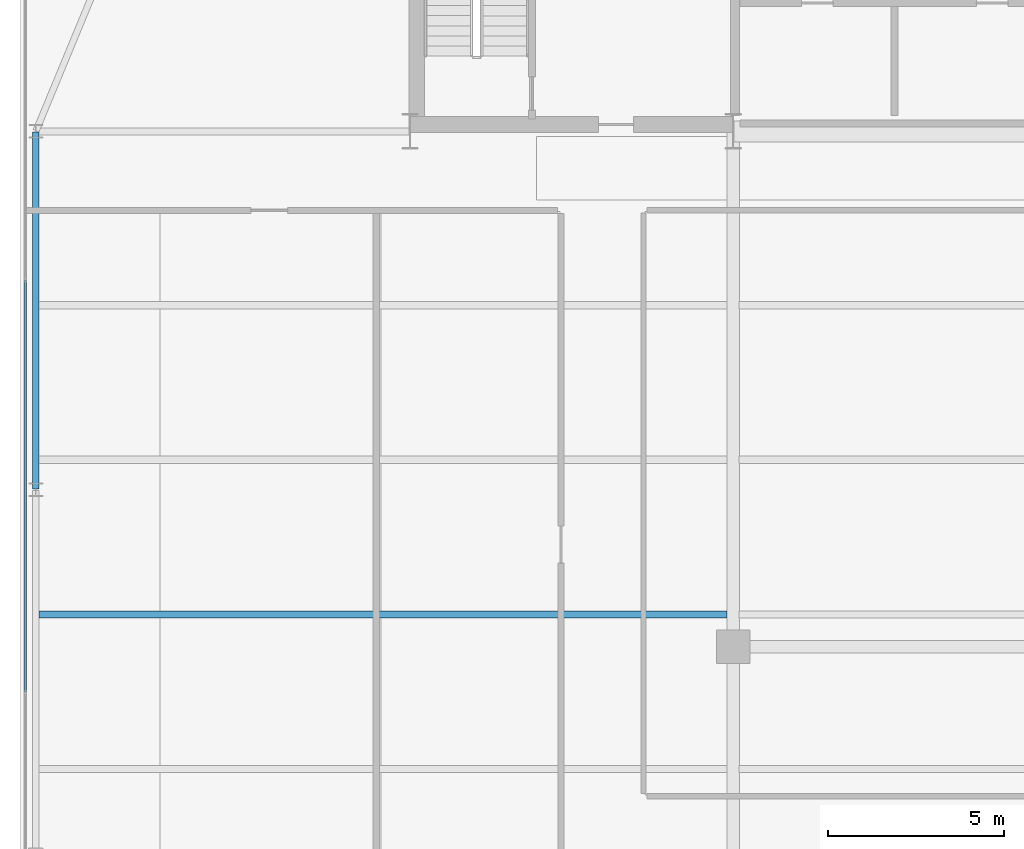
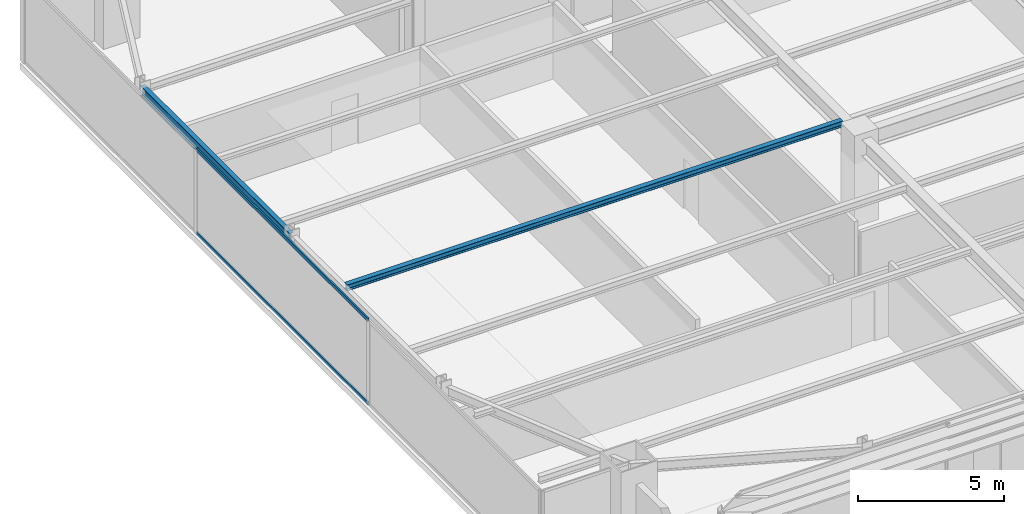
# One storey, part 9 of 32: 2 beams, 2 members, 1 element without a shape of its own.
"""IFC4 building model written with IfcOpenShell, lengths in metres."""

import ifcopenshell
import ifcopenshell.guid

model = None  # the IFC model being written
_history = None  # IfcOwnerHistory: only IFC2X3 demands one
_inside = {}  # id of a spatial element -> (the spatial element, [elements in it])
_under = {}  # id of a project, library or spatial element -> (it, [spatial elements below it])
_declared = {}  # id of a project -> (the project, [libraries it declares])
_typed = {}  # id of a type object -> (the type object, [elements of that type])
_made_of = {}  # id of a material, layer set ... -> (it, [elements and type objects made of it])


def new_model(schema):
    """Start an empty IFC model of exactly this schema.

    Asked for "IFC4X3", IfcOpenShell would pick the latest addendum, in which some entities
    have other attributes; the version numbers below select the first issue.
    IFC2X3 requires an IfcOwnerHistory on every rooted entity: one is made here for all.
    """
    global model, _history
    if schema == "IFC4X3":
        model = ifcopenshell.file(schema_version=(4, 3, 0, 0))
    else:
        model = ifcopenshell.file(schema=schema)
    _inside.clear()
    _under.clear()
    _declared.clear()
    _typed.clear()
    _made_of.clear()
    _history = None
    if model.schema == "IFC2X3":
        org = make("IfcOrganization", Name="unknown")
        user = make(
            "IfcPersonAndOrganization",
            ThePerson=make("IfcPerson", FamilyName="unknown"),
            TheOrganization=org,
        )
        app = make(
            "IfcApplication",
            ApplicationDeveloper=org,
            Version="unknown",
            ApplicationFullName="unknown",
            ApplicationIdentifier="unknown",
        )
        _history = make(
            "IfcOwnerHistory",
            OwningUser=user,
            OwningApplication=app,
            ChangeAction="ADDED",
            CreationDate=0,
        )
    return model


def make(cls, **values):
    """One entity of the class cls with the attributes given. An attribute that is None is left unset."""
    return model.create_entity(
        cls, **{name: value for name, value in values.items() if value is not None}
    )


def rooted(cls, **values):
    """An entity with a GlobalId (a new one), such as an element, a storey or a relation."""
    return make(cls, GlobalId=ifcopenshell.guid.new(), OwnerHistory=_history, **values)


def si_unit(unit_type, name, prefix=None):
    """IfcSIUnit, for example si_unit("LENGTHUNIT", "METRE", prefix="MILLI")."""
    return make("IfcSIUnit", UnitType=unit_type, Prefix=prefix, Name=name)


def assignment(units):
    """IfcUnitAssignment: the units of a project."""
    return None if units is None else make("IfcUnitAssignment", Units=units)


def point(xyz):
    """IfcCartesianPoint."""
    return None if xyz is None else make("IfcCartesianPoint", Coordinates=xyz)


def direction(xyz):
    """IfcDirection."""
    return None if xyz is None else make("IfcDirection", DirectionRatios=xyz)


def frame(location, z_axis=None, x_axis=None):
    """IfcAxis2Placement3D, a coordinate frame: its origin and axes. An axis left out is left unset."""
    return make(
        "IfcAxis2Placement3D",
        Location=point(location),
        Axis=direction(z_axis),
        RefDirection=direction(x_axis),
    )


def frame_2d(location, x_axis=None):
    """IfcAxis2Placement2D, a coordinate frame in the plane: its origin and x axis."""
    return make(
        "IfcAxis2Placement2D", Location=point(location), RefDirection=direction(x_axis)
    )


def origin():
    """The frame at (0, 0, 0) with its axes left unset."""
    return frame((0.0, 0.0, 0.0))


def origin_2d():
    """The frame at (0, 0) in the plane with its x axis left unset."""
    return frame_2d((0.0, 0.0))


def place(relative_to, where):
    """IfcLocalPlacement: puts the frame where relative to a parent placement (None: the world)."""
    return make(
        "IfcLocalPlacement", PlacementRelTo=relative_to, RelativePlacement=where
    )


def context(
    kind, dimensions, precision=None, world=None, true_north=None, identifier=None
):
    """IfcGeometricRepresentationContext, for example the 3D "Model" context."""
    return make(
        "IfcGeometricRepresentationContext",
        ContextIdentifier=identifier,
        ContextType=kind,
        CoordinateSpaceDimension=dimensions,
        Precision=precision,
        WorldCoordinateSystem=world,
        TrueNorth=true_north,
    )


def subcontext(parent, identifier, kind, view, scale=None):
    """IfcGeometricRepresentationSubContext, for example "Body" below "Model"."""
    return make(
        "IfcGeometricRepresentationSubContext",
        ContextIdentifier=identifier,
        ContextType=kind,
        ParentContext=parent,
        TargetScale=scale,
        TargetView=view,
    )


def project(units=None, contexts=None):
    """IfcProject with its units and contexts."""
    return rooted(
        "IfcProject",
        Name="project",
        RepresentationContexts=contexts,
        UnitsInContext=assignment(units),
    )


def spatial(cls, under=None, at=None, **own):
    """A site, building, storey or space (cls), placed at a placement, below another one or the project."""
    s = rooted(cls, ObjectPlacement=at, **own)
    if under is not None:
        _under.setdefault(under.id(), (under, []))[1].append(s)
    return s


def profile(cls, at=None, kind="AREA", **sizes):
    """A parametric profile (cls). Its sizes go by their IFC names, for example OverallWidth=200.0."""
    return make(cls, ProfileType=kind, Position=at, **sizes)


def hollow_rectangle(**sizes):
    """IfcRectangleHollowProfileDef."""
    return profile("IfcRectangleHollowProfileDef", **sizes)


def i_section(**sizes):
    """IfcIShapeProfileDef."""
    return profile("IfcIShapeProfileDef", **sizes)


def extrude(swept, where, along, depth):
    """IfcExtrudedAreaSolid: the profile swept, set in the frame where, extruded along a direction by depth."""
    return make(
        "IfcExtrudedAreaSolid",
        SweptArea=swept,
        Position=where,
        ExtrudedDirection=direction(along),
        Depth=depth,
    )


def shape(context_of_items, identifier, shape_type, items):
    """IfcShapeRepresentation: the items that make up one representation, for example the "Body"."""
    return make(
        "IfcShapeRepresentation",
        ContextOfItems=context_of_items,
        RepresentationIdentifier=identifier,
        RepresentationType=shape_type,
        Items=items,
    )


def source(mapping_origin, context_of_items, identifier, shape_type, items):
    """IfcRepresentationMap: a shape defined once, which mapped items show again and again."""
    return make(
        "IfcRepresentationMap",
        MappingOrigin=mapping_origin,
        MappedRepresentation=shape(context_of_items, identifier, shape_type, items),
    )


def transform(
    local_origin,
    x_axis=None,
    y_axis=None,
    z_axis=None,
    scale=None,
    scale2=None,
    scale3=None,
    uniform=True,
):
    """IfcCartesianTransformationOperator3D, or its non-uniform kind. x_axis, y_axis, z_axis: its Axis1, 2, 3."""
    if uniform:
        return make(
            "IfcCartesianTransformationOperator3D",
            Axis1=direction(x_axis),
            Axis2=direction(y_axis),
            LocalOrigin=point(local_origin),
            Scale=scale,
            Axis3=direction(z_axis),
        )
    return make(
        "IfcCartesianTransformationOperator3DnonUniform",
        Axis1=direction(x_axis),
        Axis2=direction(y_axis),
        LocalOrigin=point(local_origin),
        Scale=scale,
        Axis3=direction(z_axis),
        Scale2=scale2,
        Scale3=scale3,
    )


def mapped(mapping_source, mapping_target):
    """IfcMappedItem: shows the shape of a source again, moved by a transform."""
    return make(
        "IfcMappedItem", MappingSource=mapping_source, MappingTarget=mapping_target
    )


def material(Name=None, Category=None):
    """IfcMaterial."""
    return make("IfcMaterial", Name=Name, Category=Category)


def layer(
    of_material, thickness, ventilated=None, Name=None, Category=None, Priority=None
):
    """IfcMaterialLayer: one layer of a wall or slab, of a material (None: an air gap)."""
    return make(
        "IfcMaterialLayer",
        Material=of_material,
        LayerThickness=thickness,
        IsVentilated=ventilated,
        Name=Name,
        Category=Category,
        Priority=Priority,
    )


def layer_set(layers, Name=None):
    """IfcMaterialLayerSet."""
    return make("IfcMaterialLayerSet", MaterialLayers=layers, LayerSetName=Name)


def material_profile(
    of_material, cross_section, Name=None, Category=None, Priority=None
):
    """IfcMaterialProfile: a cross section and its material."""
    return make(
        "IfcMaterialProfile",
        Name=Name,
        Material=of_material,
        Profile=cross_section,
        Priority=Priority,
        Category=Category,
    )


def profile_set(profiles, Name=None, composite=None):
    """IfcMaterialProfileSet."""
    return make(
        "IfcMaterialProfileSet",
        Name=Name,
        MaterialProfiles=profiles,
        CompositeProfile=composite,
    )


def made_of(thing, what):
    """Note that an element or type object is made of a material, layer set ...; save() writes the relation."""
    if what is not None:
        _made_of.setdefault(what.id(), (what, []))[1].append(thing)
    return thing


def type_object(cls, material=None, **own):
    """A type object (cls), such as IfcWallType, which elements share."""
    return made_of(rooted(cls, **own), material)


def type_shapes(of_type, sources):
    """Give a type object the sources (RepresentationMaps) that its elements show as mapped items."""
    of_type.RepresentationMaps = sources


def element(
    cls,
    number,
    at=None,
    inside=None,
    cuts=None,
    type_object=None,
    material=None,
    context=None,
    identifier="Body",
    shape_type=None,
    held_by="IfcProductDefinitionShape",
    body=None,
    shapes=None,
    **own,
):
    """One element of the class cls, such as IfcWall. Its Tag is "e" and its number.

    at: its placement. inside: the storey or other place that contains it. cuts: it is an
    opening in that element (IfcRelVoidsElement). A single representation is given by context,
    identifier, shape_type and body (its items); several are given by shapes. held_by: the class
    of the entity that holds the representations. save() writes the other relations.
    """
    e = rooted(cls, Tag="e%d" % number, ObjectPlacement=at, **own)
    if body is not None:
        shapes = [shape(context, identifier, shape_type, body)]
    if shapes is not None:
        e.Representation = make(held_by, Representations=shapes)
    if inside is not None:
        _inside.setdefault(inside.id(), (inside, []))[1].append(e)
    if cuts is not None:
        rooted(
            "IfcRelVoidsElement", RelatingBuildingElement=cuts, RelatedOpeningElement=e
        )
    if type_object is not None:
        _typed.setdefault(type_object.id(), (type_object, []))[1].append(e)
    return made_of(e, material)


def aggregate(whole, parts):
    """IfcRelAggregates: a whole, such as a stair, and the parts it consists of."""
    return rooted("IfcRelAggregates", RelatingObject=whole, RelatedObjects=parts)


def save(model, path):
    """Write the relations noted so far, then the file.

    IfcRelAggregates (storeys below a building ...), IfcRelContainedInSpatialStructure (elements
    in a storey), IfcRelDefinesByType, IfcRelAssociatesMaterial and IfcRelDeclares: one each for
    every whole, place, type object, material and project.
    """
    for whole, parts in _under.values():
        aggregate(whole, parts)
    for where, things in _inside.values():
        rooted(
            "IfcRelContainedInSpatialStructure",
            RelatedElements=things,
            RelatingStructure=where,
        )
    for kind, things in _typed.values():
        rooted("IfcRelDefinesByType", RelatedObjects=things, RelatingType=kind)
    for what, things in _made_of.values():
        rooted("IfcRelAssociatesMaterial", RelatedObjects=things, RelatingMaterial=what)
    for by, libraries in _declared.values():
        rooted("IfcRelDeclares", RelatingContext=by, RelatedDefinitions=libraries)
    model.write(path)


model = new_model("IFC4")

# Units and contexts
model_context = context("Model", 3, precision=1e-05, world=origin(), true_north=direction((0.0, 1.0)))
body_context = subcontext(model_context, "Body", "Model", "MODEL_VIEW")
ifc_project = project(units=[si_unit("LENGTHUNIT", "METRE"), si_unit("AREAUNIT", "SQUARE_METRE"), si_unit("VOLUMEUNIT", "CUBIC_METRE"), si_unit("PLANEANGLEUNIT", "RADIAN"), si_unit("MASSUNIT", "GRAM", prefix="KILO")], contexts=[model_context])

# Site, building, storey
site_placement = place(None, origin())
site = spatial("IfcSite", under=ifc_project, at=site_placement, CompositionType="ELEMENT")
building_placement = place(site_placement, origin())
building = spatial("IfcBuilding", under=site, at=building_placement, Name="Varnel Quay Broadcast Tower", CompositionType="ELEMENT")
storey_placement = place(building_placement, frame((0.0, 0.0, 133.39990234375)))
storey = spatial("IfcBuildingStorey", under=building, at=storey_placement, Name="L32", CompositionType="ELEMENT", Elevation=133.39990234375)

# Beams
ifc_material_1 = material(Name="Structural Steel CSA G40.21 350W", Category="steel")
ifc_material_profile_1 = material_profile(ifc_material_1, i_section(OverallWidth=0.180908203125, OverallDepth=0.4169921875, WebThickness=0.010986328125, FlangeThickness=0.018310546875, FilletRadius=0.011962890625, at=origin_2d()), Name="W410X85")
ifc_profile_set_1 = profile_set([ifc_material_profile_1], Name="Structural Steel CSA G40.21 350W")
beam_type_1 = type_object("IfcBeamType", Name="Beam_W410X85", PredefinedType="SPANDREL", material=ifc_profile_set_1)
shared_shape_1 = source(origin(), body_context, "Body", "SweptSolid", [
    extrude(i_section(OverallWidth=0.180908203125, OverallDepth=0.4169921875, WebThickness=0.010986328125, FlangeThickness=0.018310546875, FilletRadius=0.011962890625, at=origin_2d()), origin(), (0.0, 0.0, 1.0), 10.16015625),
])
type_shapes(beam_type_1, [shared_shape_1])
beam_1_placement = place(storey_placement, frame((4.949951171875, 25.419921875, 3.341552734375), z_axis=(0.0, 1.0, 0.0), x_axis=(-1.0, 0.0, 0.0)))
element("IfcBeam", 1, at=beam_1_placement, inside=storey, type_object=beam_type_1, Name="L32 West Spandrel TC-W2-TC-W3", PredefinedType="SPANDREL", context=body_context, shape_type="MappedRepresentation", body=[
    mapped(shared_shape_1, transform((0.0, 0.0, 0.0), x_axis=(1.0, 0.0, 0.0), y_axis=(0.0, 1.0, 0.0), z_axis=(0.0, 0.0, 1.0), scale=1.0)),
])
ifc_material_profile_2 = material_profile(ifc_material_1, i_section(OverallWidth=0.201904296875, OverallDepth=0.2470703125, WebThickness=0.00732421875, FlangeThickness=0.010986328125, FilletRadius=0.010986328125, at=origin_2d()), Name="W250X49")
ifc_profile_set_2 = profile_set([ifc_material_profile_2], Name="Structural Steel CSA G40.21 350W")
beam_type_2 = type_object("IfcBeamType", Name="Beam_W250X49", PredefinedType="JOIST", material=ifc_profile_set_2)
shared_shape_2 = source(origin(), body_context, "Body", "SweptSolid", [
    extrude(i_section(OverallWidth=0.201904296875, OverallDepth=0.2470703125, WebThickness=0.00732421875, FlangeThickness=0.010986328125, FilletRadius=0.010986328125, at=origin_2d()), origin(), (0.0, 0.0, 1.0), 19.592041015625),
])
type_shapes(beam_type_2, [shared_shape_2])
beam_2_placement = place(storey_placement, frame((5.035400390625, 21.85009765625, 3.426513671875), z_axis=(1.0, 0.0, 0.0), x_axis=(0.0, 1.0, 0.0)))
element("IfcBeam", 2, at=beam_2_placement, inside=storey, type_object=beam_type_2, Name="L32 West Floor Joist 4", PredefinedType="JOIST", context=body_context, shape_type="MappedRepresentation", body=[
    mapped(shared_shape_2, transform((0.0, 0.0, 0.0), x_axis=(1.0, 0.0, 0.0), y_axis=(0.0, 1.0, 0.0), z_axis=(0.0, 0.0, 1.0), scale=1.0)),
])

# Curtain wall, members
ifc_material_2 = material(Name="Anodised Bronze Aluminium 6063-T6", Category="aluminium")
ifc_layer = layer(ifc_material_2, 0.18994140625, Name="Anodised Bronze Aluminium 6063-T6")
ifc_layer_set = layer_set([ifc_layer], Name="Anodised Bronze Aluminium 6063-T6")
curtain_wall_type = type_object("IfcCurtainWallType", Name="CW_LowerTower", PredefinedType="NOTDEFINED", material=ifc_layer_set)
curtain_wall_placement = place(storey_placement, origin())
curtain_wall = element("IfcCurtainWall", 3, at=curtain_wall_placement, inside=storey, type_object=curtain_wall_type, Name="L32 West Unitised Curtain Wall", PredefinedType="NOTDEFINED")
ifc_material_profile_3 = material_profile(ifc_material_2, hollow_rectangle(XDim=0.06005859375, YDim=0.14501953125, WallThickness=0.00341796875, at=origin_2d()), Name="ALU60X145X3.5")
ifc_profile_set_3 = profile_set([ifc_material_profile_3], Name="Anodised Bronze Aluminium 6063-T6")
member_type = type_object("IfcMemberType", Name="Tran_CWS-02", PredefinedType="USERDEFINED", material=ifc_profile_set_3)
shared_shape_3 = source(origin(), body_context, "Body", "SweptSolid", [
    extrude(hollow_rectangle(XDim=0.06005859375, YDim=0.14501953125, WallThickness=0.00341796875, at=origin_2d()), origin(), (0.0, 0.0, 1.0), 11.72998046875),
])
type_shapes(member_type, [shared_shape_3])
member_1_placement = place(storey_placement, frame((4.64990234375, 19.635009765625, 0.030029296875), z_axis=(0.0, 1.0, 0.0), x_axis=(-1.0, 0.0, 0.0)))
member_1 = element("IfcMember", 4, at=member_1_placement, type_object=member_type, Name="CWS-02 transom 2.1", ObjectType="TRANSOM", PredefinedType="USERDEFINED", context=body_context, shape_type="MappedRepresentation", body=[
    mapped(shared_shape_3, transform((0.0, 0.0, 0.0), x_axis=(1.0, 0.0, 0.0), y_axis=(0.0, 1.0, 0.0), z_axis=(0.0, 0.0, 1.0), scale=1.0)),
])
member_2_placement = place(storey_placement, frame((4.64990234375, 19.635009765625, 3.52001953125), z_axis=(0.0, 1.0, 0.0), x_axis=(-1.0, 0.0, 0.0)))
member_2 = element("IfcMember", 5, at=member_2_placement, type_object=member_type, Name="CWS-02 transom 2.2", ObjectType="TRANSOM", PredefinedType="USERDEFINED", context=body_context, shape_type="MappedRepresentation", body=[
    mapped(shared_shape_3, transform((0.0, 0.0, 0.0), x_axis=(1.0, 0.0, 0.0), y_axis=(0.0, 1.0, 0.0), z_axis=(0.0, 0.0, 1.0), scale=1.0)),
])
aggregate(curtain_wall, [member_1, member_2])

save(model, "model.ifc")
